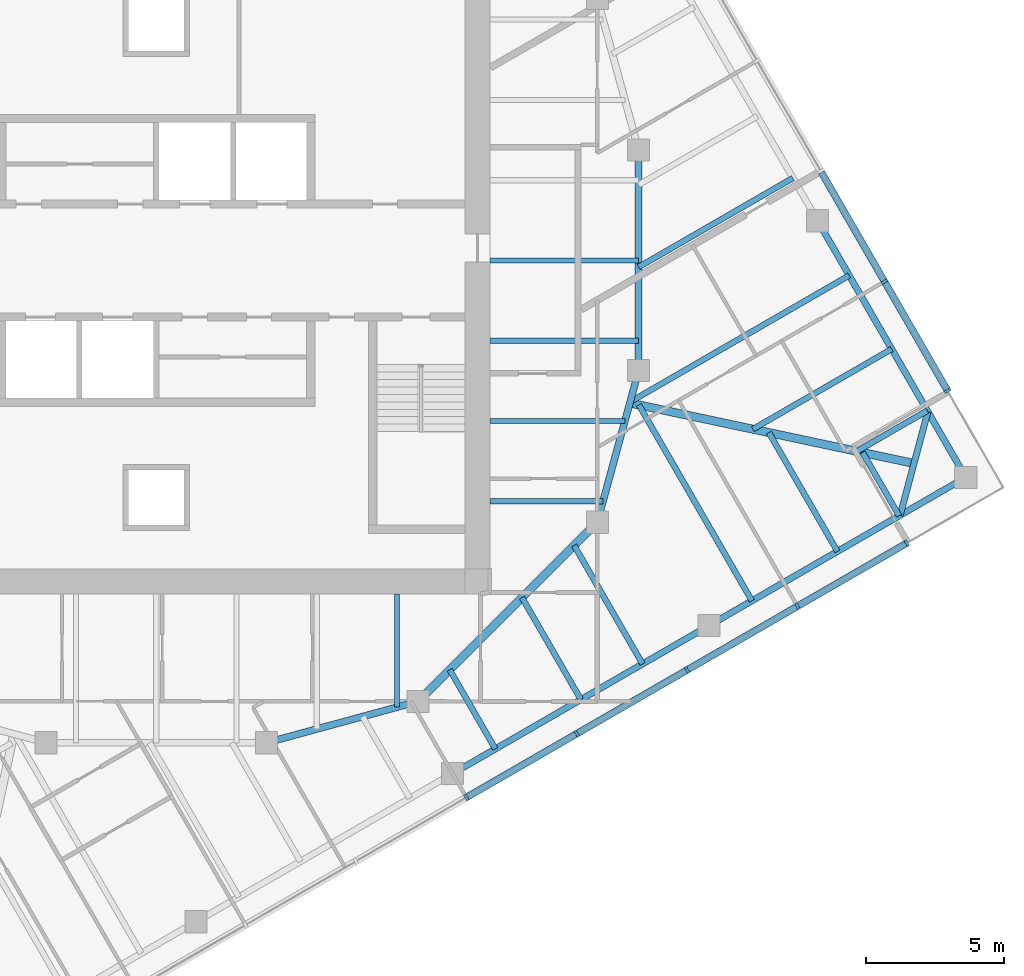
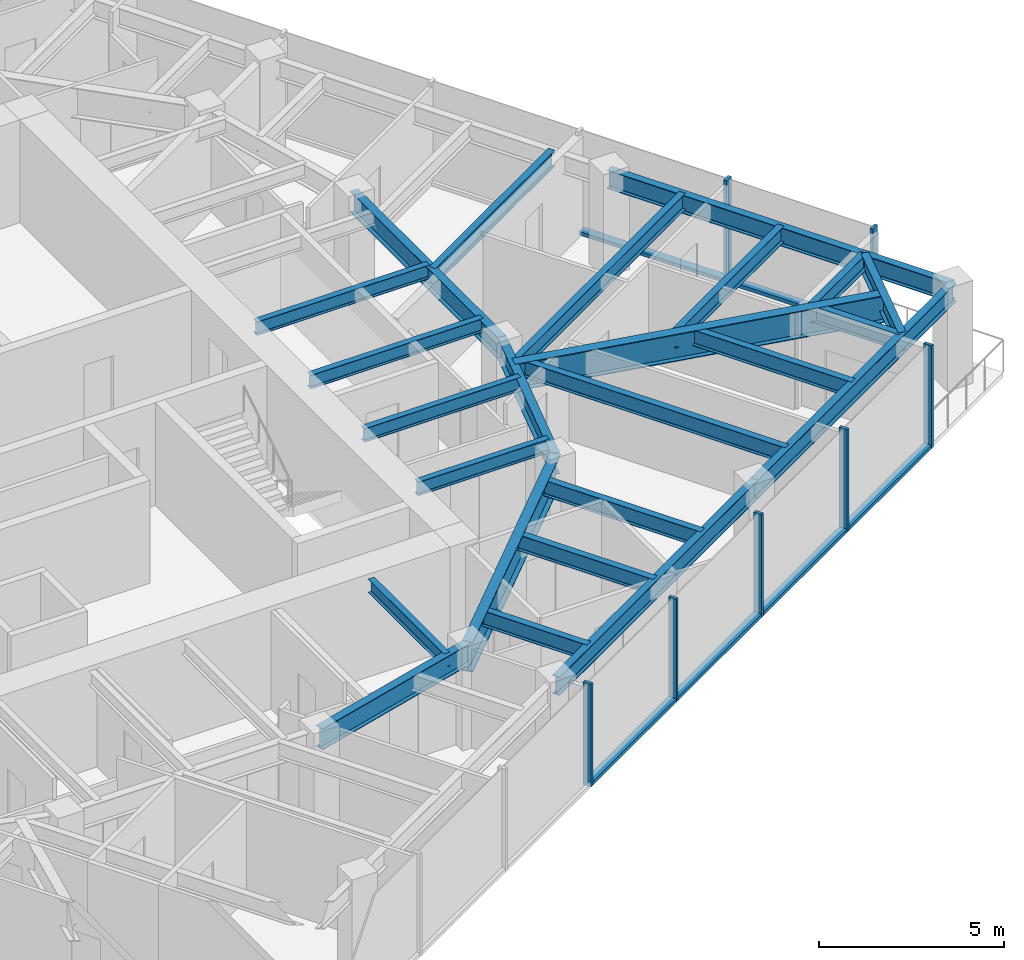
# One storey, part 3 of 12: 24 beams, 13 members, 2 elements without a shape of their own.
"""IFC4 building model written with IfcOpenShell, lengths in metres."""

from ifc_helpers import new_model, si_unit, direction, frame, origin, origin_2d, place, context, subcontext, project, spatial, rectangle, i_section, extrude, material, material_profile, profile_set, type_object, element, aggregate, save


model = new_model("IFC4")

# Units and contexts
model_context = context("Model", 3, precision=1e-05, world=origin(), true_north=direction((0.0, 1.0)))
body_context = subcontext(model_context, "Body", "Model", "MODEL_VIEW")
ifc_project = project(units=[si_unit("LENGTHUNIT", "METRE"), si_unit("AREAUNIT", "SQUARE_METRE"), si_unit("VOLUMEUNIT", "CUBIC_METRE"), si_unit("PLANEANGLEUNIT", "RADIAN"), si_unit("MASSUNIT", "GRAM", prefix="KILO")], contexts=[model_context])

# Site, building, storey
site_placement = place(None, origin())
site = spatial("IfcSite", under=ifc_project, at=site_placement, CompositionType="ELEMENT")
building_placement = place(site_placement, origin())
building = spatial("IfcBuilding", under=site, at=building_placement, Name="Torsade Residences", CompositionType="ELEMENT")
storey_placement = place(building_placement, frame((0.0, 0.0, 221.800048828125)))
storey = spatial("IfcBuildingStorey", under=building, at=storey_placement, Name="L61", CompositionType="ELEMENT", Elevation=221.800048828125)

# Beams
ifc_material_1 = material(Name="Steel grade 300", Category="steel")
ifc_material_profile_1 = material_profile(ifc_material_1, i_section(OverallWidth=0.300048828125, OverallDepth=0.89990234375, WebThickness=0.011962890625, FlangeThickness=0.02490234375, at=origin_2d()), Name="900WB175")
ifc_profile_set_1 = profile_set([ifc_material_profile_1], Name="Steel grade 300")
beam_type_1 = type_object("IfcBeamType", Name="CORNER GIRDER 900WB175", PredefinedType="BEAM", material=ifc_profile_set_1)
beam_1_placement = place(storey_placement, frame((67.4912109375, 22.6337890625, 2.800048828125), z_axis=(-0.978115155685, 0.20806427425, 0.0), x_axis=(-0.20806427425, -0.978115155685, 0.0)))
element("IfcBeam", 1, at=beam_1_placement, inside=storey, type_object=beam_type_1, Name="Corner girder 05 L62", PredefinedType="BEAM", context=body_context, shape_type="SweptSolid", body=[
    extrude(i_section(OverallWidth=0.300048828125, OverallDepth=0.89990234375, WebThickness=0.011962890625, FlangeThickness=0.02490234375, at=origin_2d()), origin(), (0.0, 0.0, 1.0), 10.541748046875),
])
ifc_material_2 = material(Name="Steel grade 300", Category="steel")
ifc_material_profile_2 = material_profile(ifc_material_2, i_section(OverallWidth=0.22802734375, OverallDepth=0.60205078125, WebThickness=0.010498046875, FlangeThickness=0.014892578125, FilletRadius=0.013916015625, at=origin_2d()), Name="610UB101")
ifc_profile_set_2 = profile_set([ifc_material_profile_2], Name="Steel grade 300")
beam_type_2 = type_object("IfcBeamType", Name="CORNER TRIMMER 610UB101", PredefinedType="BEAM", material=ifc_profile_set_2)
beam_2_placement = place(storey_placement, frame((67.99462890625, 24.511962890625, 2.948974609375), z_axis=(-0.258822897619, -0.965924794002, 0.0), x_axis=(0.965924794002, -0.258822897619, 0.0)))
element("IfcBeam", 2, at=beam_2_placement, inside=storey, type_object=beam_type_2, Name="Corner trimmer 05 L62", PredefinedType="BEAM", context=body_context, shape_type="SweptSolid", body=[
    extrude(i_section(OverallWidth=0.22802734375, OverallDepth=0.60205078125, WebThickness=0.010498046875, FlangeThickness=0.014892578125, FilletRadius=0.013916015625, at=origin_2d()), origin(), (0.0, 0.0, 1.0), 3.88916015625),
])
ifc_material_3 = material(Name="Steel grade 300", Category="steel")
ifc_material_profile_3 = material_profile(ifc_material_3, i_section(OverallWidth=0.22900390625, OverallDepth=0.612060546875, WebThickness=0.011962890625, FlangeThickness=0.01953125, FilletRadius=0.013916015625, at=origin_2d()), Name="610UB125")
ifc_profile_set_3 = profile_set([ifc_material_profile_3], Name="Steel grade 300")
beam_type_3 = type_object("IfcBeamType", Name="EDGE BEAM 610UB125", PredefinedType="SPANDREL", material=ifc_profile_set_3)
for number, where, z_axis, x_axis, name in (
    (3, (50.75, 11.38037109375, 2.94384765625), (0.866026365697, 0.499998333915, 0.0), (-0.499998333915, 0.866026365697, 0.0), "Edge beam 03 L62"),
    (4, (60.059814453125, 16.75537109375, 2.94384765625), (0.866026365697, 0.499998333915, 0.0), (-0.499998333915, 0.866026365697, 0.0), "Edge beam 04 L62"),
    (5, (69.36962890625, 22.13037109375, 2.94384765625), (-0.499998333915, 0.866026365697, 0.0), (-0.866026365697, -0.499998333915, 0.0), "Edge beam 05 L62"),
):
    element("IfcBeam", number, at=place(storey_placement, frame(where, z_axis=z_axis, x_axis=x_axis)), inside=storey, type_object=beam_type_3, Name=name, PredefinedType="SPANDREL", context=body_context, shape_type="SweptSolid", body=[
        extrude(i_section(OverallWidth=0.22900390625, OverallDepth=0.612060546875, WebThickness=0.011962890625, FlangeThickness=0.01953125, FilletRadius=0.013916015625, at=origin_2d()), origin(), (0.0, 0.0, 1.0), 10.75),
    ])

# Curtain wall, members
ifc_material_4 = material(Name="Aluminium and glass", Category="aluminium")
curtain_wall_type = type_object("IfcCurtainWallType", Name="FRITTED GLASS CURTAIN WALL HIGH ZONE", PredefinedType="NOTDEFINED", material=ifc_material_4)
curtain_wall_1_placement = place(storey_placement, origin())
curtain_wall_1 = element("IfcCurtainWall", 6, at=curtain_wall_1_placement, inside=storey, type_object=curtain_wall_type, Name="Curtain wall L61 face 1", PredefinedType="NOTDEFINED")
ifc_material_5 = material(Name="Aluminium mullion", Category="aluminium")
ifc_material_profile_4 = material_profile(ifc_material_5, rectangle(XDim=0.25, YDim=0.10009765625, at=origin_2d()), Name="HIGH ZONE CURTAIN WALL MULLION 250x100")
ifc_profile_set_4 = profile_set([ifc_material_profile_4], Name="Aluminium mullion")
member_type_1 = type_object("IfcMemberType", Name="HIGH ZONE CURTAIN WALL MULLION 250x100", PredefinedType="MULLION", material=ifc_profile_set_4)
member_1_placement = place(storey_placement, frame((51.25, 10.514404296875, 0.0), z_axis=(0.0, 0.0, 1.0), x_axis=(-0.499999999305, 0.866025404186, 0.0)))
member_1 = element("IfcMember", 7, at=member_1_placement, type_object=member_type_1, Name="Mullion 5", PredefinedType="MULLION", context=body_context, shape_type="SweptSolid", body=[
    extrude(rectangle(XDim=0.25, YDim=0.10009765625, at=origin_2d()), origin(), (0.0, 0.0, 1.0), 3.39990234375),
])
member_2_placement = place(storey_placement, frame((55.25537109375, 12.826904296875, 0.0), z_axis=(0.0, 0.0, 1.0), x_axis=(-0.499999999305, 0.866025404186, 0.0)))
member_2 = element("IfcMember", 8, at=member_2_placement, type_object=member_type_1, Name="Mullion 6", PredefinedType="MULLION", context=body_context, shape_type="SweptSolid", body=[
    extrude(rectangle(XDim=0.25, YDim=0.10009765625, at=origin_2d()), origin(), (0.0, 0.0, 1.0), 3.39990234375),
])
member_3_placement = place(storey_placement, frame((59.2607421875, 15.139404296875, 0.0), z_axis=(0.0, 0.0, 1.0), x_axis=(-0.499999999305, 0.866025404186, 0.0)))
member_3 = element("IfcMember", 9, at=member_3_placement, type_object=member_type_1, Name="Mullion 7", PredefinedType="MULLION", context=body_context, shape_type="SweptSolid", body=[
    extrude(rectangle(XDim=0.25, YDim=0.10009765625, at=origin_2d()), origin(), (0.0, 0.0, 1.0), 3.39990234375),
])
member_4_placement = place(storey_placement, frame((63.26611328125, 17.451904296875, 0.0), z_axis=(0.0, 0.0, 1.0), x_axis=(-0.499999999305, 0.866025404186, 0.0)))
member_4 = element("IfcMember", 10, at=member_4_placement, type_object=member_type_1, Name="Mullion 8", PredefinedType="MULLION", context=body_context, shape_type="SweptSolid", body=[
    extrude(rectangle(XDim=0.25, YDim=0.10009765625, at=origin_2d()), origin(), (0.0, 0.0, 1.0), 3.39990234375),
])
member_5_placement = place(storey_placement, frame((67.228271484375, 19.739501953125, 0.0), z_axis=(0.0, 0.0, 1.0), x_axis=(-0.499999999305, 0.866025404186, 0.0)))
member_5 = element("IfcMember", 11, at=member_5_placement, type_object=member_type_1, Name="Mullion 9", PredefinedType="MULLION", context=body_context, shape_type="SweptSolid", body=[
    extrude(rectangle(XDim=0.25, YDim=0.10009765625, at=origin_2d()), origin(), (0.0, 0.0, 1.0), 3.39990234375),
])

curtain_wall_2_placement = place(storey_placement, origin())
curtain_wall_2 = element("IfcCurtainWall", 12, at=curtain_wall_2_placement, inside=storey, type_object=curtain_wall_type, Name="Curtain wall L61 face 4", PredefinedType="NOTDEFINED")
member_6_placement = place(storey_placement, frame((68.710693359375, 25.271728515625, 0.0), z_axis=(0.0, 0.0, 1.0), x_axis=(-0.866025404186, -0.499999999305, 0.0)))
member_6 = element("IfcMember", 13, at=member_6_placement, type_object=member_type_1, Name="Mullion 1", PredefinedType="MULLION", context=body_context, shape_type="SweptSolid", body=[
    extrude(rectangle(XDim=0.25, YDim=0.10009765625, at=origin_2d()), origin(), (0.0, 0.0, 1.0), 3.39990234375),
])
member_7_placement = place(storey_placement, frame((66.423095703125, 29.23388671875, 0.0), z_axis=(0.0, 0.0, 1.0), x_axis=(-0.866025404186, -0.499999999305, 0.0)))
member_7 = element("IfcMember", 14, at=member_7_placement, type_object=member_type_1, Name="Mullion 2", PredefinedType="MULLION", context=body_context, shape_type="SweptSolid", body=[
    extrude(rectangle(XDim=0.25, YDim=0.10009765625, at=origin_2d()), origin(), (0.0, 0.0, 1.0), 3.39990234375),
])

# Member
ifc_material_6 = material(Name="Aluminium transom", Category="aluminium")
ifc_material_profile_5 = material_profile(ifc_material_6, rectangle(XDim=0.25, YDim=0.1201171875, at=origin_2d()), Name="HIGH ZONE CURTAIN WALL TRANSOM 250x120")
ifc_profile_set_5 = profile_set([ifc_material_profile_5], Name="Aluminium transom")
member_type_2 = type_object("IfcMemberType", Name="HIGH ZONE CURTAIN WALL TRANSOM 250x120", PredefinedType="USERDEFINED", material=ifc_profile_set_5)
member_8_placement = place(storey_placement, frame((51.293212890625, 10.539306640625, 0.06005859375), z_axis=(0.866016678684, 0.500015112013, 0.0), x_axis=(-0.500015112013, 0.866016678684, 0.0)))
member_8 = element("IfcMember", 15, at=member_8_placement, type_object=member_type_2, Name="Transom 5.1", ObjectType="TRANSOM", PredefinedType="USERDEFINED", context=body_context, shape_type="SweptSolid", body=[
    extrude(rectangle(XDim=0.25, YDim=0.1201171875, at=origin_2d()), origin(), (0.0, 0.0, 1.0), 4.525146484375),
])

member_9_placement = place(storey_placement, frame((55.298583984375, 12.851806640625, 0.06005859375), z_axis=(0.866016678684, 0.500015112013, 0.0), x_axis=(-0.500015112013, 0.866016678684, 0.0)))
member_9 = element("IfcMember", 16, at=member_9_placement, type_object=member_type_2, Name="Transom 6.1", ObjectType="TRANSOM", PredefinedType="USERDEFINED", context=body_context, shape_type="SweptSolid", body=[
    extrude(rectangle(XDim=0.25, YDim=0.1201171875, at=origin_2d()), origin(), (0.0, 0.0, 1.0), 4.525146484375),
])

member_10_placement = place(storey_placement, frame((59.303955078125, 15.164306640625, 0.06005859375), z_axis=(0.866016678684, 0.500015112013, 0.0), x_axis=(-0.500015112013, 0.866016678684, 0.0)))
member_10 = element("IfcMember", 17, at=member_10_placement, type_object=member_type_2, Name="Transom 7.1", ObjectType="TRANSOM", PredefinedType="USERDEFINED", context=body_context, shape_type="SweptSolid", body=[
    extrude(rectangle(XDim=0.25, YDim=0.1201171875, at=origin_2d()), origin(), (0.0, 0.0, 1.0), 4.525146484375),
])

member_11_placement = place(storey_placement, frame((63.309326171875, 17.476806640625, 0.06005859375), z_axis=(0.866022053326, 0.50000580312, 0.0), x_axis=(-0.50000580312, 0.866022053326, 0.0)))
member_11 = element("IfcMember", 18, at=member_11_placement, type_object=member_type_2, Name="Transom 8.1", ObjectType="TRANSOM", PredefinedType="USERDEFINED", context=body_context, shape_type="SweptSolid", body=[
    extrude(rectangle(XDim=0.25, YDim=0.1201171875, at=origin_2d()), origin(), (0.0, 0.0, 1.0), 4.47509765625),
])

aggregate(curtain_wall_1, [member_1, member_2, member_3, member_4, member_5, member_8, member_9, member_10, member_11])

member_12_placement = place(storey_placement, frame((68.685546875, 25.315185546875, 0.06005859375), z_axis=(-0.50000580312, 0.866022053326, 0.0), x_axis=(-0.866022053326, -0.50000580312, 0.0)))
member_12 = element("IfcMember", 19, at=member_12_placement, type_object=member_type_2, Name="Transom 1.1", ObjectType="TRANSOM", PredefinedType="USERDEFINED", context=body_context, shape_type="SweptSolid", body=[
    extrude(rectangle(XDim=0.25, YDim=0.1201171875, at=origin_2d()), origin(), (0.0, 0.0, 1.0), 4.47509765625),
])

member_13_placement = place(storey_placement, frame((66.398193359375, 29.277099609375, 0.06005859375), z_axis=(-0.500015112013, 0.866016678684, 0.0), x_axis=(-0.866016678684, -0.500015112013, 0.0)))
member_13 = element("IfcMember", 20, at=member_13_placement, type_object=member_type_2, Name="Transom 2.1", ObjectType="TRANSOM", PredefinedType="USERDEFINED", context=body_context, shape_type="SweptSolid", body=[
    extrude(rectangle(XDim=0.25, YDim=0.1201171875, at=origin_2d()), origin(), (0.0, 0.0, 1.0), 4.525146484375),
])

aggregate(curtain_wall_2, [member_6, member_7, member_12, member_13])

# Beams
ifc_material_7 = material(Name="Steel grade 300", Category="steel")
ifc_material_profile_6 = material_profile(ifc_material_7, i_section(OverallWidth=0.18994140625, OverallDepth=0.4541015625, WebThickness=0.008544921875, FlangeThickness=0.0126953125, FilletRadius=0.011474609375, at=origin_2d()), Name="460UB67.1")
ifc_profile_set_6 = profile_set([ifc_material_profile_6], Name="Steel grade 300")
beam_type_4 = type_object("IfcBeamType", Name="INNER FLOOR BEAM 460UB67.1", PredefinedType="JOIST", material=ifc_profile_set_6)
for number, where, z_axis, x_axis, name in (
    (21, (48.737548828125, 17.89990234375, 3.02294921875), (0.0, -1.0, 0.0), (1.0, 0.0, 0.0), "Inner floor beam IS01 L62"),
    (22, (52.10009765625, 21.262451171875, 3.02294921875), (1.0, 0.0, 0.0), (0.0, 1.0, 0.0), "Inner floor beam IE01 L62"),
):
    element("IfcBeam", number, at=place(storey_placement, frame(where, z_axis=z_axis, x_axis=x_axis)), inside=storey, type_object=beam_type_4, Name=name, PredefinedType="JOIST", context=body_context, shape_type="SweptSolid", body=[
        extrude(i_section(OverallWidth=0.18994140625, OverallDepth=0.4541015625, WebThickness=0.008544921875, FlangeThickness=0.0126953125, FilletRadius=0.011474609375, at=origin_2d()), origin(), (0.0, 0.0, 1.0), 4.10791015625),
    ])
beam_3_placement = place(storey_placement, frame((52.10009765625, 24.175048828125, 3.02294921875), z_axis=(1.0, 0.0, 0.0), x_axis=(0.0, 1.0, 0.0)))
element("IfcBeam", 23, at=beam_3_placement, inside=storey, type_object=beam_type_4, Name="Inner floor beam IE02 L62", PredefinedType="JOIST", context=body_context, shape_type="SweptSolid", body=[
    extrude(i_section(OverallWidth=0.18994140625, OverallDepth=0.4541015625, WebThickness=0.008544921875, FlangeThickness=0.0126953125, FilletRadius=0.011474609375, at=origin_2d()), origin(), (0.0, 0.0, 1.0), 4.902099609375),
])
for number, where, z_axis, x_axis, name in (
    (24, (52.10009765625, 27.08740234375, 3.02294921875), (1.0, 0.0, 0.0), (0.0, 1.0, 0.0), "Inner floor beam IE03 L62"),
    (25, (52.10009765625, 30.0, 3.02294921875), (1.0, 0.0, 0.0), (0.0, 1.0, 0.0), "Inner floor beam IE04 L62"),
):
    element("IfcBeam", number, at=place(storey_placement, frame(where, z_axis=z_axis, x_axis=x_axis)), inside=storey, type_object=beam_type_4, Name=name, PredefinedType="JOIST", context=body_context, shape_type="SweptSolid", body=[
        extrude(i_section(OverallWidth=0.18994140625, OverallDepth=0.4541015625, WebThickness=0.008544921875, FlangeThickness=0.0126953125, FilletRadius=0.011474609375, at=origin_2d()), origin(), (0.0, 0.0, 1.0), 5.39990234375),
    ])
ifc_material_8 = material(Name="Steel grade 300", Category="steel")
ifc_material_profile_7 = material_profile(ifc_material_8, i_section(OverallWidth=0.300048828125, OverallDepth=1.0, WebThickness=0.01611328125, FlangeThickness=0.028076171875, at=origin_2d()), Name="1000WB215")
ifc_profile_set_7 = profile_set([ifc_material_profile_7], Name="Steel grade 300")
beam_type_5 = type_object("IfcBeamType", Name="RING CORNER GIRDER 1000WB215", PredefinedType="BEAM", material=ifc_profile_set_7)
beam_4_placement = place(storey_placement, frame((49.5, 14.0, 2.75), z_axis=(0.707106781187, 0.707106781187, 0.0), x_axis=(-0.707106781187, 0.707106781187, 0.0)))
element("IfcBeam", 26, at=beam_4_placement, inside=storey, type_object=beam_type_5, Name="Ring girder IR15 L62", PredefinedType="BEAM", context=body_context, shape_type="SweptSolid", body=[
    extrude(i_section(OverallWidth=0.300048828125, OverallDepth=1.0, WebThickness=0.01611328125, FlangeThickness=0.028076171875, at=origin_2d()), origin(), (0.0, 0.0, 1.0), 9.1923828125),
])
ifc_material_9 = material(Name="Steel grade 300", Category="steel")
ifc_material_profile_8 = material_profile(ifc_material_9, i_section(OverallWidth=0.25, OverallDepth=0.699951171875, WebThickness=0.010009765625, FlangeThickness=0.02001953125, at=origin_2d()), Name="700WB130")
ifc_profile_set_8 = profile_set([ifc_material_profile_8], Name="Steel grade 300")
beam_type_6 = type_object("IfcBeamType", Name="RING GIRDER 700WB130", PredefinedType="BEAM", material=ifc_profile_set_8)
beam_5_placement = place(storey_placement, frame((57.5, 26.0, 2.89990234375), z_axis=(0.0, 1.0, 0.0), x_axis=(-1.0, 0.0, 0.0)))
element("IfcBeam", 27, at=beam_5_placement, inside=storey, type_object=beam_type_6, Name="Ring girder IR01 L62", PredefinedType="BEAM", context=body_context, shape_type="SweptSolid", body=[
    extrude(i_section(OverallWidth=0.25, OverallDepth=0.699951171875, WebThickness=0.010009765625, FlangeThickness=0.02001953125, at=origin_2d()), origin(), (0.0, 0.0, 1.0), 8.0),
])
for number, where, z_axis, x_axis, name in (
    (28, (44.0, 12.5, 2.89990234375), (0.964763821238, 0.263117405792, 0.0), (-0.263117405792, 0.964763821238, 0.0), "Ring girder IR14 L62"),
    (29, (56.0, 20.5, 2.89990234375), (0.263117405792, 0.964763821238, 0.0), (-0.964763821238, 0.263117405792, 0.0), "Ring girder IR16 L62"),
):
    element("IfcBeam", number, at=place(storey_placement, frame(where, z_axis=z_axis, x_axis=x_axis)), inside=storey, type_object=beam_type_6, Name=name, PredefinedType="BEAM", context=body_context, shape_type="SweptSolid", body=[
        extrude(i_section(OverallWidth=0.25, OverallDepth=0.699951171875, WebThickness=0.010009765625, FlangeThickness=0.02001953125, at=origin_2d()), origin(), (0.0, 0.0, 1.0), 5.700927734375),
    ])
ifc_material_10 = material(Name="Steel grade 300", Category="steel")
ifc_material_profile_9 = material_profile(ifc_material_10, i_section(OverallWidth=0.208984375, OverallDepth=0.528076171875, WebThickness=0.009521484375, FlangeThickness=0.01318359375, FilletRadius=0.013916015625, at=origin_2d()), Name="530UB82.0")
ifc_profile_set_9 = profile_set([ifc_material_profile_9], Name="Steel grade 300")
beam_type_7 = type_object("IfcBeamType", Name="SECONDARY BEAM 530UB82.0", PredefinedType="JOIST", material=ifc_profile_set_9)
beam_6_placement = place(storey_placement, frame((52.301513671875, 12.2763671875, 2.98583984375), z_axis=(-0.499975512502, 0.866039541186, 0.0), x_axis=(-0.866039541186, -0.499975512502, 0.0)))
element("IfcBeam", 30, at=beam_6_placement, inside=storey, type_object=beam_type_7, Name="Floor beam FS07 L62", PredefinedType="JOIST", context=body_context, shape_type="SweptSolid", body=[
    extrude(i_section(OverallWidth=0.208984375, OverallDepth=0.528076171875, WebThickness=0.009521484375, FlangeThickness=0.01318359375, FilletRadius=0.013916015625, at=origin_2d()), origin(), (0.0, 0.0, 1.0), 3.312744140625),
])
beam_7_placement = place(storey_placement, frame((55.40478515625, 14.06787109375, 2.98583984375), z_axis=(-0.500004369671, 0.866022880939, 0.0), x_axis=(-0.866022880939, -0.500004369671, 0.0)))
element("IfcBeam", 31, at=beam_7_placement, inside=storey, type_object=beam_type_7, Name="Floor beam FS08 L62", PredefinedType="JOIST", context=body_context, shape_type="SweptSolid", body=[
    extrude(i_section(OverallWidth=0.208984375, OverallDepth=0.528076171875, WebThickness=0.009521484375, FlangeThickness=0.01318359375, FilletRadius=0.013916015625, at=origin_2d()), origin(), (0.0, 0.0, 1.0), 4.27294921875),
])
beam_8_placement = place(storey_placement, frame((57.64208984375, 15.359619140625, 2.98583984375), z_axis=(-0.49996790502, 0.866043933037, 0.0), x_axis=(-0.866043933037, -0.49996790502, 0.0)))
element("IfcBeam", 32, at=beam_8_placement, inside=storey, type_object=beam_type_7, Name="Floor beam FS09 L62", PredefinedType="JOIST", context=body_context, shape_type="SweptSolid", body=[
    extrude(i_section(OverallWidth=0.208984375, OverallDepth=0.528076171875, WebThickness=0.009521484375, FlangeThickness=0.01318359375, FilletRadius=0.013916015625, at=origin_2d()), origin(), (0.0, 0.0, 1.0), 4.965087890625),
])
beam_9_placement = place(storey_placement, frame((61.611328125, 17.6513671875, 2.98583984375), z_axis=(-0.499992034702, 0.866030002502, 0.0), x_axis=(-0.866030002502, -0.499992034702, 0.0)))
element("IfcBeam", 33, at=beam_9_placement, inside=storey, type_object=beam_type_7, Name="Floor beam FS10 L62", PredefinedType="JOIST", context=body_context, shape_type="SweptSolid", body=[
    extrude(i_section(OverallWidth=0.208984375, OverallDepth=0.528076171875, WebThickness=0.009521484375, FlangeThickness=0.01318359375, FilletRadius=0.013916015625, at=origin_2d()), origin(), (0.0, 0.0, 1.0), 8.205322265625),
])
beam_10_placement = place(storey_placement, frame((64.714599609375, 19.44287109375, 2.98583984375), z_axis=(-0.499968694491, 0.866043477274, 0.0), x_axis=(-0.866043477274, -0.499968694491, 0.0)))
element("IfcBeam", 34, at=beam_10_placement, inside=storey, type_object=beam_type_7, Name="Floor beam FS11 L62", PredefinedType="JOIST", context=body_context, shape_type="SweptSolid", body=[
    extrude(i_section(OverallWidth=0.208984375, OverallDepth=0.528076171875, WebThickness=0.009521484375, FlangeThickness=0.01318359375, FilletRadius=0.013916015625, at=origin_2d()), origin(), (0.0, 0.0, 1.0), 4.977783203125),
])
beam_11_placement = place(storey_placement, frame((66.951904296875, 20.734619140625, 2.98583984375), z_axis=(-0.499972238474, 0.866041431316, 0.0), x_axis=(-0.866041431316, -0.499972238474, 0.0)))
element("IfcBeam", 35, at=beam_11_placement, inside=storey, type_object=beam_type_7, Name="Floor beam FS12 L62", PredefinedType="JOIST", context=body_context, shape_type="SweptSolid", body=[
    extrude(i_section(OverallWidth=0.208984375, OverallDepth=0.528076171875, WebThickness=0.009521484375, FlangeThickness=0.01318359375, FilletRadius=0.013916015625, at=origin_2d()), origin(), (0.0, 0.0, 1.0), 2.651123046875),
])
beam_12_placement = place(storey_placement, frame((67.9736328125, 24.548095703125, 2.98583984375), z_axis=(-0.866017313224, -0.500014013, 0.0), x_axis=(0.500014013, -0.866017313224, 0.0)))
element("IfcBeam", 36, at=beam_12_placement, inside=storey, type_object=beam_type_7, Name="Floor beam FE01 L62", PredefinedType="JOIST", context=body_context, shape_type="SweptSolid", body=[
    extrude(i_section(OverallWidth=0.208984375, OverallDepth=0.528076171875, WebThickness=0.009521484375, FlangeThickness=0.01318359375, FilletRadius=0.013916015625, at=origin_2d()), origin(), (0.0, 0.0, 1.0), 2.94775390625),
])
beam_13_placement = place(storey_placement, frame((66.68212890625, 26.785400390625, 2.98583984375), z_axis=(-0.866031100357, -0.499990133118, 0.0), x_axis=(0.499990133118, -0.866031100357, 0.0)))
element("IfcBeam", 37, at=beam_13_placement, inside=storey, type_object=beam_type_7, Name="Floor beam FE02 L62", PredefinedType="JOIST", context=body_context, shape_type="SweptSolid", body=[
    extrude(i_section(OverallWidth=0.208984375, OverallDepth=0.528076171875, WebThickness=0.009521484375, FlangeThickness=0.01318359375, FilletRadius=0.013916015625, at=origin_2d()), origin(), (0.0, 0.0, 1.0), 5.81591796875),
])
beam_14_placement = place(storey_placement, frame((65.140380859375, 29.45556640625, 2.98583984375), z_axis=(-0.866021712342, -0.500006393711, 0.0), x_axis=(0.500006393711, -0.866021712342, 0.0)))
element("IfcBeam", 38, at=beam_14_placement, inside=storey, type_object=beam_type_7, Name="Floor beam FE03 L62", PredefinedType="JOIST", context=body_context, shape_type="SweptSolid", body=[
    extrude(i_section(OverallWidth=0.208984375, OverallDepth=0.528076171875, WebThickness=0.009521484375, FlangeThickness=0.01318359375, FilletRadius=0.013916015625, at=origin_2d()), origin(), (0.0, 0.0, 1.0), 9.1796875),
])
beam_15_placement = place(storey_placement, frame((63.0986328125, 32.991943359375, 2.98583984375), z_axis=(-0.866022073929, -0.500005767435, 0.0), x_axis=(0.500005767435, -0.866022073929, 0.0)))
element("IfcBeam", 39, at=beam_15_placement, inside=storey, type_object=beam_type_7, Name="Floor beam FE04 L62", PredefinedType="JOIST", context=body_context, shape_type="SweptSolid", body=[
    extrude(i_section(OverallWidth=0.208984375, OverallDepth=0.528076171875, WebThickness=0.009521484375, FlangeThickness=0.01318359375, FilletRadius=0.013916015625, at=origin_2d()), origin(), (0.0, 0.0, 1.0), 6.46484375),
])

save(model, "model.ifc")
